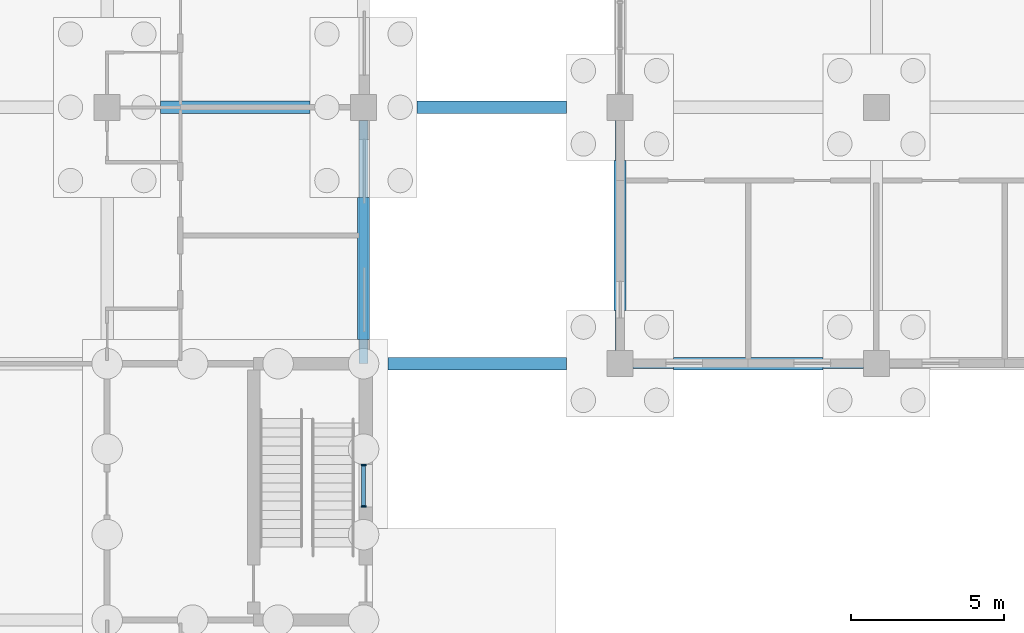
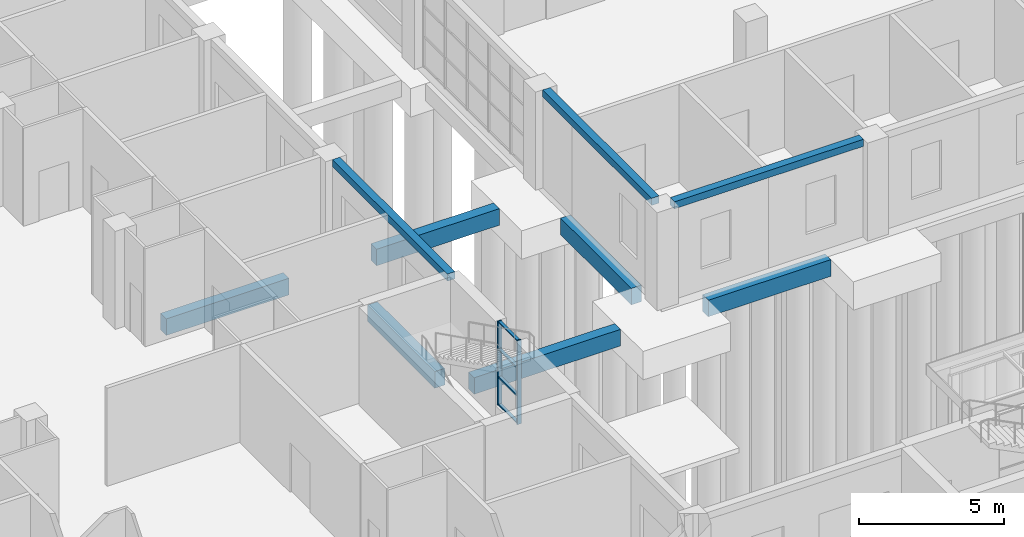
# One storey, part 42 of 138: 9 beams, 6 members, 1 element without a shape of its own.
"""IFC4 building model written with IfcOpenShell, lengths in metres."""

from ifc_helpers import new_model, si_unit, direction, frame, origin, origin_2d, place, context, subcontext, project, spatial, rectangle, extrude, material, material_profile, profile_set, type_object, element, aggregate, save


model = new_model("IFC4")

# Units and contexts
model_context = context("Model", 3, precision=1e-05, world=origin(), true_north=direction((0.0, 1.0)))
body_context = subcontext(model_context, "Body", "Model", "MODEL_VIEW")
ifc_project = project(units=[si_unit("LENGTHUNIT", "METRE"), si_unit("AREAUNIT", "SQUARE_METRE"), si_unit("VOLUMEUNIT", "CUBIC_METRE"), si_unit("PLANEANGLEUNIT", "RADIAN"), si_unit("MASSUNIT", "GRAM", prefix="KILO")], contexts=[model_context])

# Site, building, storey
site_placement = place(None, origin())
site = spatial("IfcSite", under=ifc_project, at=site_placement, CompositionType="ELEMENT")
building_placement = place(site_placement, origin())
building = spatial("IfcBuilding", under=site, at=building_placement, Name="Yavir Park General Hospital", CompositionType="ELEMENT")
storey_placement = place(building_placement, origin())
storey = spatial("IfcBuildingStorey", under=building, at=storey_placement, Name="L00", CompositionType="ELEMENT", Elevation=0.0)

# Beams
ifc_material_1 = material(Name="Concrete C35/45", Category="concrete")
ifc_material_profile_1 = material_profile(ifc_material_1, rectangle(XDim=0.300048828125, YDim=0.300048828125, at=origin_2d()), Name="RC300x300")
ifc_profile_set_1 = profile_set([ifc_material_profile_1], Name="Concrete C35/45")
beam_type_1 = type_object("IfcBeamType", Name="RC BEAM 300x300 edge beam", PredefinedType="BEAM", material=ifc_profile_set_1)
beam_1_placement = place(storey_placement, frame((34.02490234375, 50.39990234375, 3.989990234375), z_axis=(1.0, 0.0, 0.0), x_axis=(0.0, 1.0, 0.0)))
element("IfcBeam", 1, at=beam_1_placement, inside=storey, type_object=beam_type_1, Name="B:EDGE:L00:019", PredefinedType="BEAM", context=body_context, shape_type="SweptSolid", body=[
    extrude(rectangle(XDim=0.300048828125, YDim=0.300048828125, at=origin_2d()), origin(), (0.0, 0.0, 1.0), 7.550048828125),
])
beam_2_placement = place(storey_placement, frame((25.199951171875, 50.39990234375, 3.989990234375), z_axis=(0.0, 1.0, 0.0), x_axis=(-1.0, 0.0, 0.0)))
element("IfcBeam", 2, at=beam_2_placement, inside=storey, type_object=beam_type_1, Name="B:EDGE:L00:036", PredefinedType="BEAM", context=body_context, shape_type="SweptSolid", body=[
    extrude(rectangle(XDim=0.300048828125, YDim=0.300048828125, at=origin_2d()), origin(), (0.0, 0.0, 1.0), 7.97509765625),
])
beam_3_placement = place(storey_placement, frame((33.60009765625, 50.824951171875, 3.989990234375), z_axis=(0.0, 1.0, 0.0), x_axis=(-1.0, 0.0, 0.0)))
element("IfcBeam", 3, at=beam_3_placement, inside=storey, type_object=beam_type_1, Name="B:EDGE:L00:042", PredefinedType="BEAM", context=body_context, shape_type="SweptSolid", body=[
    extrude(rectangle(XDim=0.300048828125, YDim=0.300048828125, at=origin_2d()), origin(), (0.0, 0.0, 1.0), 7.550048828125),
])
ifc_material_2 = material(Name="Concrete C35/45", Category="concrete")
ifc_material_profile_2 = material_profile(ifc_material_2, rectangle(XDim=0.39990234375, YDim=0.699951171875, at=origin_2d()), Name="RC400x700")
ifc_profile_set_2 = profile_set([ifc_material_profile_2], Name="Concrete C35/45")
beam_type_2 = type_object("IfcBeamType", Name="RC BEAM 400x700 ground beam", PredefinedType="BEAM", material=ifc_profile_set_2)
beam_4_placement = place(storey_placement, frame((18.550048828125, 58.800048828125, -0.800048828125), z_axis=(1.0, 0.0, 0.0), x_axis=(0.0, 1.0, 0.0)))
element("IfcBeam", 4, at=beam_4_placement, inside=storey, type_object=beam_type_2, Name="B:GND:L00:3H:L00:4H", PredefinedType="BEAM", context=body_context, shape_type="SweptSolid", body=[
    extrude(rectangle(XDim=0.39990234375, YDim=0.699951171875, at=origin_2d()), origin(), (0.0, 0.0, 1.0), 4.89990234375),
])
beam_5_placement = place(storey_placement, frame((26.949951171875, 58.800048828125, -0.800048828125), z_axis=(1.0, 0.0, 0.0), x_axis=(0.0, 1.0, 0.0)))
element("IfcBeam", 5, at=beam_5_placement, inside=storey, type_object=beam_type_2, Name="B:GND:L00:4H:L00:5H", PredefinedType="BEAM", context=body_context, shape_type="SweptSolid", body=[
    extrude(rectangle(XDim=0.39990234375, YDim=0.699951171875, at=origin_2d()), origin(), (0.0, 0.0, 1.0), 4.900146484375),
])
beam_6_placement = place(storey_placement, frame((35.35009765625, 50.39990234375, -0.800048828125), z_axis=(1.0, 0.0, 0.0), x_axis=(0.0, 1.0, 0.0)))
element("IfcBeam", 6, at=beam_6_placement, inside=storey, type_object=beam_type_2, Name="B:GND:L00:5G:L00:6G", PredefinedType="BEAM", context=body_context, shape_type="SweptSolid", body=[
    extrude(rectangle(XDim=0.39990234375, YDim=0.699951171875, at=origin_2d()), origin(), (0.0, 0.0, 1.0), 4.89990234375),
])
beam_7_placement = place(storey_placement, frame((26.0, 50.39990234375, -0.800048828125), z_axis=(1.0, 0.0, 0.0), x_axis=(0.0, 1.0, 0.0)))
element("IfcBeam", 7, at=beam_7_placement, inside=storey, type_object=beam_type_2, Name="B:GND:L00:SW1:L00:5G", PredefinedType="BEAM", context=body_context, shape_type="SweptSolid", body=[
    extrude(rectangle(XDim=0.39990234375, YDim=0.699951171875, at=origin_2d()), origin(), (0.0, 0.0, 1.0), 5.85009765625),
])
beam_8_placement = place(storey_placement, frame((33.60009765625, 52.14990234375, -0.800048828125), z_axis=(0.0, 1.0, 0.0), x_axis=(-1.0, 0.0, 0.0)))
element("IfcBeam", 8, at=beam_8_placement, inside=storey, type_object=beam_type_2, Name="B:GND:L00:5G:L00:5H", PredefinedType="BEAM", context=body_context, shape_type="SweptSolid", body=[
    extrude(rectangle(XDim=0.39990234375, YDim=0.699951171875, at=origin_2d()), origin(), (0.0, 0.0, 1.0), 4.900146484375),
])
beam_9_placement = place(storey_placement, frame((25.199951171875, 51.199951171875, -0.800048828125), z_axis=(0.0, 1.0, 0.0), x_axis=(-1.0, 0.0, 0.0)))
element("IfcBeam", 9, at=beam_9_placement, inside=storey, type_object=beam_type_2, Name="B:GND:L00:SW1:L00:4H", PredefinedType="BEAM", context=body_context, shape_type="SweptSolid", body=[
    extrude(rectangle(XDim=0.39990234375, YDim=0.699951171875, at=origin_2d()), origin(), (0.0, 0.0, 1.0), 4.650146484375),
])

# Curtain wall, members
ifc_material_3 = material(Name="Aluminium curtain wall frame with insulated glazing", Category="aluminium")
curtain_wall_type = type_object("IfcCurtainWallType", Name="Stair light slot, ground floor, 3540 high, 1400 module", PredefinedType="NOTDEFINED", material=ifc_material_3)
curtain_wall_placement = place(storey_placement, origin())
curtain_wall = element("IfcCurtainWall", 10, at=curtain_wall_placement, inside=storey, type_object=curtain_wall_type, Name="CW19 L00-042", PredefinedType="NOTDEFINED")
ifc_material_4 = material(Name="Aluminium", Category="aluminium")
ifc_material_profile_3 = material_profile(ifc_material_4, rectangle(XDim=0.159912109375, YDim=0.050048828125, at=origin_2d()), Name="AL 50x160")
ifc_profile_set_3 = profile_set([ifc_material_profile_3], Name="Aluminium")
member_type_1 = type_object("IfcMemberType", Name="Stair light slot, ground floor, 3540 high mullion 50 x 160", PredefinedType="MULLION", material=ifc_profile_set_3)
member_1_placement = place(storey_placement, frame((25.199951171875, 45.72509765625, 0.60009765625), z_axis=(0.0, 0.0, 1.0), x_axis=(-1.0, 0.0, 0.0)))
member_1 = element("IfcMember", 11, at=member_1_placement, type_object=member_type_1, Name="CW19 mullion 1", PredefinedType="MULLION", context=body_context, shape_type="SweptSolid", body=[
    extrude(rectangle(XDim=0.159912109375, YDim=0.050048828125, at=origin_2d()), origin(), (0.0, 0.0, 1.0), 3.539794921875),
])
member_2_placement = place(storey_placement, frame((25.199951171875, 47.074951171875, 0.60009765625), z_axis=(0.0, 0.0, 1.0), x_axis=(-1.0, 0.0, 0.0)))
member_2 = element("IfcMember", 12, at=member_2_placement, type_object=member_type_1, Name="CW19 mullion 2", PredefinedType="MULLION", context=body_context, shape_type="SweptSolid", body=[
    extrude(rectangle(XDim=0.159912109375, YDim=0.050048828125, at=origin_2d()), origin(), (0.0, 0.0, 1.0), 3.539794921875),
])
ifc_material_5 = material(Name="Aluminium", Category="aluminium")
ifc_material_profile_4 = material_profile(ifc_material_5, rectangle(XDim=0.1201171875, YDim=0.050048828125, at=origin_2d()), Name="AL 120x50")
ifc_profile_set_4 = profile_set([ifc_material_profile_4], Name="Aluminium")
member_type_2 = type_object("IfcMemberType", Name="Stair light slot, ground floor, 3540 high transom 50 x 120", PredefinedType="MULLION", material=ifc_profile_set_4)
member_3_placement = place(storey_placement, frame((25.199951171875, 45.75, 0.625), z_axis=(0.0, 1.0, 0.0), x_axis=(-1.0, 0.0, 0.0)))
member_3 = element("IfcMember", 13, at=member_3_placement, type_object=member_type_2, Name="CW19 transom 1.1", PredefinedType="MULLION", context=body_context, shape_type="SweptSolid", body=[
    extrude(rectangle(XDim=0.1201171875, YDim=0.050048828125, at=origin_2d()), origin(), (0.0, 0.0, 1.0), 1.300048828125),
])
member_4_placement = place(storey_placement, frame((25.199951171875, 45.75, 1.780029296875), z_axis=(0.0, 1.0, 0.0), x_axis=(-1.0, 0.0, 0.0)))
member_4 = element("IfcMember", 14, at=member_4_placement, type_object=member_type_2, Name="CW19 transom 1.2", PredefinedType="MULLION", context=body_context, shape_type="SweptSolid", body=[
    extrude(rectangle(XDim=0.1201171875, YDim=0.050048828125, at=origin_2d()), origin(), (0.0, 0.0, 1.0), 1.300048828125),
])
member_5_placement = place(storey_placement, frame((25.199951171875, 45.75, 2.9599609375), z_axis=(0.0, 1.0, 0.0), x_axis=(-1.0, 0.0, 0.0)))
member_5 = element("IfcMember", 15, at=member_5_placement, type_object=member_type_2, Name="CW19 transom 1.3", PredefinedType="MULLION", context=body_context, shape_type="SweptSolid", body=[
    extrude(rectangle(XDim=0.1201171875, YDim=0.050048828125, at=origin_2d()), origin(), (0.0, 0.0, 1.0), 1.300048828125),
])
member_6_placement = place(storey_placement, frame((25.199951171875, 45.75, 4.114990234375), z_axis=(0.0, 1.0, 0.0), x_axis=(-1.0, 0.0, 0.0)))
member_6 = element("IfcMember", 16, at=member_6_placement, type_object=member_type_2, Name="CW19 transom 1.4", PredefinedType="MULLION", context=body_context, shape_type="SweptSolid", body=[
    extrude(rectangle(XDim=0.1201171875, YDim=0.050048828125, at=origin_2d()), origin(), (0.0, 0.0, 1.0), 1.300048828125),
])
aggregate(curtain_wall, [member_1, member_2, member_3, member_4, member_5, member_6])

save(model, "model.ifc")
